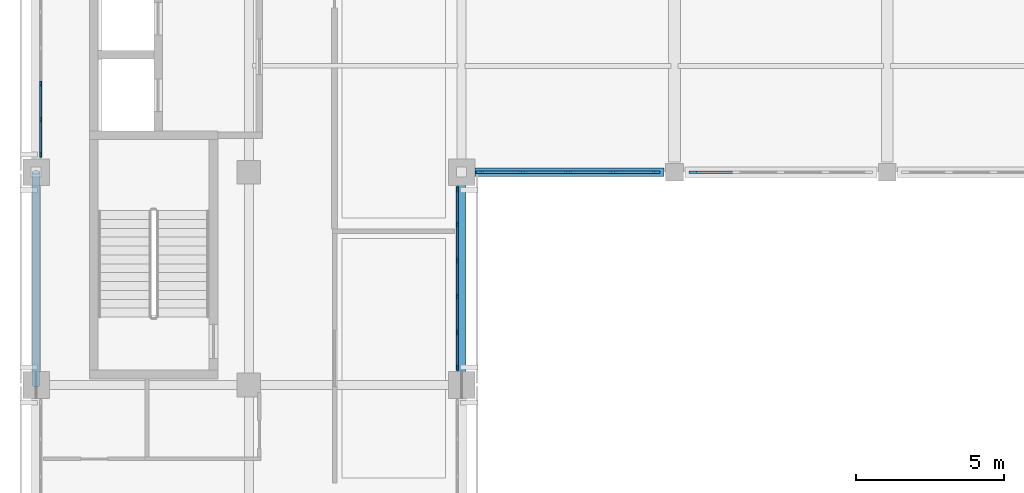
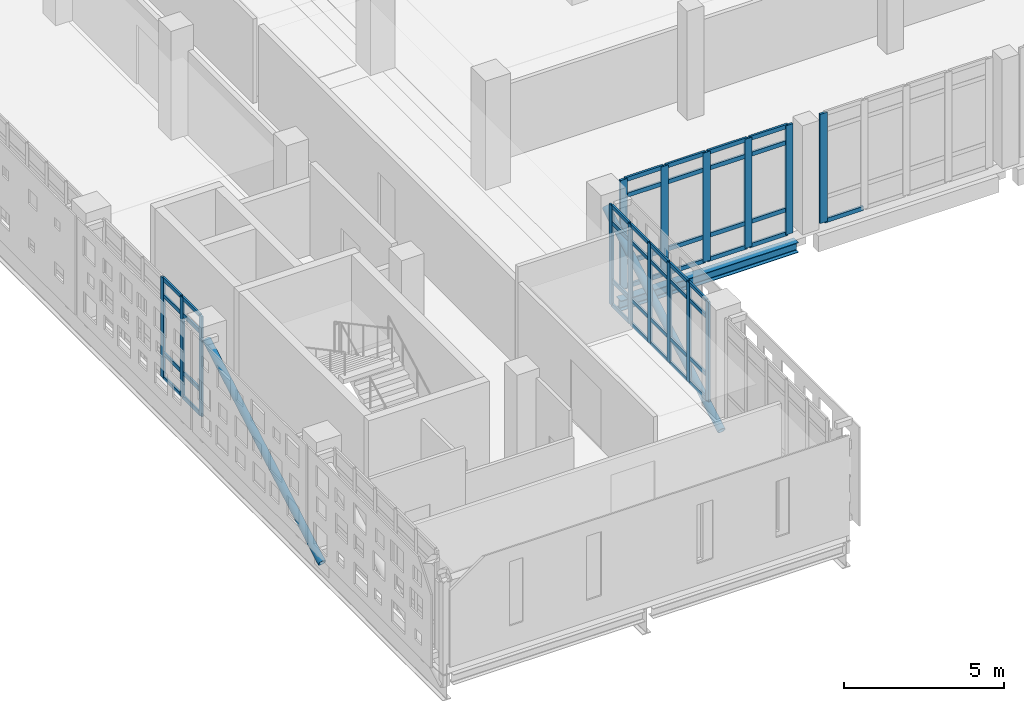
# One storey, part 8 of 62: 62 members, 1 beam, 4 elements without a shape of their own.
"""IFC4 building model written with IfcOpenShell, lengths in metres."""

from ifc_helpers import new_model, si_unit, direction, frame, origin, origin_2d, place, context, subcontext, project, spatial, rectangle, hollow_circle, i_section, extrude, material, layer, layer_set, material_profile, profile_set, type_object, element, aggregate, save


model = new_model("IFC4")

# Units and contexts
model_context = context("Model", 3, precision=1e-05, world=origin(), true_north=direction((0.0, 1.0)))
body_context = subcontext(model_context, "Body", "Model", "MODEL_VIEW")
ifc_project = project(units=[si_unit("LENGTHUNIT", "METRE"), si_unit("AREAUNIT", "SQUARE_METRE"), si_unit("VOLUMEUNIT", "CUBIC_METRE"), si_unit("PLANEANGLEUNIT", "RADIAN"), si_unit("MASSUNIT", "GRAM", prefix="KILO")], contexts=[model_context])

# Site, building, storey
site_placement = place(None, origin())
site = spatial("IfcSite", under=ifc_project, at=site_placement, CompositionType="ELEMENT")
building_placement = place(site_placement, origin())
building = spatial("IfcBuilding", under=site, at=building_placement, Name="Valkovuoma Quantum and Materials Research Institute", CompositionType="ELEMENT")
storey_placement = place(building_placement, frame((0.0, 0.0, 13.1201171875)))
storey = spatial("IfcBuildingStorey", under=building, at=storey_placement, Name="L03", CompositionType="ELEMENT", Elevation=13.1201171875)

# Beam
ifc_material_1 = material(Name="Steel S355J2", Category="steel")
ifc_material_profile_1 = material_profile(ifc_material_1, i_section(OverallWidth=0.300048828125, OverallDepth=0.389892578125, WebThickness=0.010986328125, FlangeThickness=0.01904296875, FilletRadius=0.027099609375, at=origin_2d()), Name="Steel S355J2")
ifc_profile_set_1 = profile_set([ifc_material_profile_1], Name="Steel S355J2")
beam_type = type_object("IfcBeamType", Name="Beam-B-HEA400", PredefinedType="SPANDREL", material=ifc_profile_set_1)
beam_placement = place(storey_placement, frame((14.85009765625, 36.0, -0.545166015625), z_axis=(1.0, 0.0, 0.0), x_axis=(0.0, 1.0, 0.0)))
element("IfcBeam", 1, at=beam_placement, inside=storey, type_object=beam_type, Name="L03 beam X-1426", PredefinedType="SPANDREL", context=body_context, shape_type="SweptSolid", body=[
    extrude(i_section(OverallWidth=0.300048828125, OverallDepth=0.389892578125, WebThickness=0.010986328125, FlangeThickness=0.01904296875, FilletRadius=0.027099609375, at=origin_2d()), origin(), (0.0, 0.0, 1.0), 6.39990234375),
])

# Curtain wall, members
ifc_material_2 = material(Name="Thermally broken aluminium and triple low-E glazing", Category="aluminium")
ifc_layer_1 = layer(ifc_material_2, 0.219970703125)
ifc_layer_set_1 = layer_set([ifc_layer_1], Name="Thermally broken aluminium and triple low-E glazing")
curtain_wall_type_1 = type_object("IfcCurtainWallType", Name="CW-CW-01", PredefinedType="NOTDEFINED", material=ifc_layer_set_1)
curtain_wall_1_placement = place(storey_placement, origin())
curtain_wall_1 = element("IfcCurtainWall", 2, at=curtain_wall_1_placement, inside=storey, type_object=curtain_wall_type_1, Name="L03 curtain wall 030", PredefinedType="NOTDEFINED")
ifc_material_3 = material(Name="Anodised aluminium 6060-T66", Category="aluminium")
ifc_material_profile_2 = material_profile(ifc_material_3, rectangle(XDim=0.06494140625, YDim=0.179931640625, at=origin_2d()), Name="Anodised aluminium 6060-T66")
ifc_profile_set_2 = profile_set([ifc_material_profile_2], Name="Anodised aluminium 6060-T66")
member_type_1 = type_object("IfcMemberType", Name="CWMull-CWM-01", PredefinedType="MULLION", material=ifc_profile_set_2)
member_1_placement = place(storey_placement, frame((14.25, 29.3896484375, 0.0), z_axis=(0.0, 0.0, 1.0), x_axis=(-1.0, 0.0, 0.0)))
member_1 = element("IfcMember", 3, at=member_1_placement, type_object=member_type_1, Name="CW-01 mullion 1", PredefinedType="MULLION", context=body_context, shape_type="SweptSolid", body=[
    extrude(rectangle(XDim=0.06494140625, YDim=0.179931640625, at=origin_2d()), origin(), (0.0, 0.0, 1.0), 3.809814453125),
])
member_2_placement = place(storey_placement, frame((14.25, 30.57421875, 0.0), z_axis=(0.0, 0.0, 1.0), x_axis=(-1.0, 0.0, 0.0)))
member_2 = element("IfcMember", 4, at=member_2_placement, type_object=member_type_1, Name="CW-01 mullion 2", PredefinedType="MULLION", context=body_context, shape_type="SweptSolid", body=[
    extrude(rectangle(XDim=0.06494140625, YDim=0.179931640625, at=origin_2d()), origin(), (0.0, 0.0, 1.0), 3.809814453125),
])
member_3_placement = place(storey_placement, frame((14.25, 31.79150390625, 0.0), z_axis=(0.0, 0.0, 1.0), x_axis=(-1.0, 0.0, 0.0)))
member_3 = element("IfcMember", 5, at=member_3_placement, type_object=member_type_1, Name="CW-01 mullion 3", PredefinedType="MULLION", context=body_context, shape_type="SweptSolid", body=[
    extrude(rectangle(XDim=0.06494140625, YDim=0.179931640625, at=origin_2d()), origin(), (0.0, 0.0, 1.0), 3.809814453125),
])
member_4_placement = place(storey_placement, frame((14.25, 33.008544921875, 0.0), z_axis=(0.0, 0.0, 1.0), x_axis=(-1.0, 0.0, 0.0)))
member_4 = element("IfcMember", 6, at=member_4_placement, type_object=member_type_1, Name="CW-01 mullion 4", PredefinedType="MULLION", context=body_context, shape_type="SweptSolid", body=[
    extrude(rectangle(XDim=0.06494140625, YDim=0.179931640625, at=origin_2d()), origin(), (0.0, 0.0, 1.0), 3.809814453125),
])
member_5_placement = place(storey_placement, frame((14.25, 34.225830078125, 0.0), z_axis=(0.0, 0.0, 1.0), x_axis=(-1.0, 0.0, 0.0)))
member_5 = element("IfcMember", 7, at=member_5_placement, type_object=member_type_1, Name="CW-01 mullion 5", PredefinedType="MULLION", context=body_context, shape_type="SweptSolid", body=[
    extrude(rectangle(XDim=0.06494140625, YDim=0.179931640625, at=origin_2d()), origin(), (0.0, 0.0, 1.0), 3.809814453125),
])
member_6_placement = place(storey_placement, frame((14.25, 35.410400390625, 0.0), z_axis=(0.0, 0.0, 1.0), x_axis=(-1.0, 0.0, 0.0)))
member_6 = element("IfcMember", 8, at=member_6_placement, type_object=member_type_1, Name="CW-01 mullion 6", PredefinedType="MULLION", context=body_context, shape_type="SweptSolid", body=[
    extrude(rectangle(XDim=0.06494140625, YDim=0.179931640625, at=origin_2d()), origin(), (0.0, 0.0, 1.0), 3.809814453125),
])

curtain_wall_2_placement = place(storey_placement, origin())
curtain_wall_2 = element("IfcCurtainWall", 9, at=curtain_wall_2_placement, inside=storey, type_object=curtain_wall_type_1, Name="L03 curtain wall 031", PredefinedType="NOTDEFINED")
member_7_placement = place(storey_placement, frame((0.14990234375, 36.589599609375, 0.0), z_axis=(0.0, 0.0, 1.0), x_axis=(-1.0, 0.0, 0.0)))
member_7 = element("IfcMember", 10, at=member_7_placement, type_object=member_type_1, Name="CW-01 mullion 1", PredefinedType="MULLION", context=body_context, shape_type="SweptSolid", body=[
    extrude(rectangle(XDim=0.06494140625, YDim=0.179931640625, at=origin_2d()), origin(), (0.0, 0.0, 1.0), 3.809814453125),
])
member_8_placement = place(storey_placement, frame((0.14990234375, 37.774169921875, 0.0), z_axis=(0.0, 0.0, 1.0), x_axis=(-1.0, 0.0, 0.0)))
member_8 = element("IfcMember", 11, at=member_8_placement, type_object=member_type_1, Name="CW-01 mullion 2", PredefinedType="MULLION", context=body_context, shape_type="SweptSolid", body=[
    extrude(rectangle(XDim=0.06494140625, YDim=0.179931640625, at=origin_2d()), origin(), (0.0, 0.0, 1.0), 3.809814453125),
])
member_9_placement = place(storey_placement, frame((0.14990234375, 38.991455078125, 0.0), z_axis=(0.0, 0.0, 1.0), x_axis=(-1.0, 0.0, 0.0)))
member_9 = element("IfcMember", 12, at=member_9_placement, type_object=member_type_1, Name="CW-01 mullion 3", PredefinedType="MULLION", context=body_context, shape_type="SweptSolid", body=[
    extrude(rectangle(XDim=0.06494140625, YDim=0.179931640625, at=origin_2d()), origin(), (0.0, 0.0, 1.0), 3.809814453125),
])

ifc_material_4 = material(Name="Thermally broken aluminium and triple low-E glazing", Category="aluminium")
ifc_layer_2 = layer(ifc_material_4, 0.219970703125)
ifc_layer_set_2 = layer_set([ifc_layer_2], Name="Thermally broken aluminium and triple low-E glazing")
curtain_wall_type_2 = type_object("IfcCurtainWallType", Name="CW-CW-02", PredefinedType="NOTDEFINED", material=ifc_layer_set_2)
curtain_wall_3_placement = place(storey_placement, origin())
curtain_wall_3 = element("IfcCurtainWall", 13, at=curtain_wall_3_placement, inside=storey, type_object=curtain_wall_type_2, Name="L03 curtain wall 199", PredefinedType="NOTDEFINED")
ifc_material_5 = material(Name="Anodised aluminium 6060-T66", Category="aluminium")
ifc_material_profile_3 = material_profile(ifc_material_5, rectangle(XDim=0.080078125, YDim=0.260009765625, at=origin_2d()), Name="Anodised aluminium 6060-T66")
ifc_profile_set_3 = profile_set([ifc_material_profile_3], Name="Anodised aluminium 6060-T66")
member_type_2 = type_object("IfcMemberType", Name="CWMull-CWM-03", PredefinedType="MULLION", material=ifc_profile_set_3)
member_10_placement = place(storey_placement, frame((15.02001953125, 36.0, 0.0), z_axis=(0.0, 0.0, 1.0), x_axis=(0.0, 1.0, 0.0)))
member_10 = element("IfcMember", 14, at=member_10_placement, type_object=member_type_2, Name="CW-02 mullion 1", PredefinedType="MULLION", context=body_context, shape_type="SweptSolid", body=[
    extrude(rectangle(XDim=0.080078125, YDim=0.260009765625, at=origin_2d()), origin(), (0.0, 0.0, 1.0), 4.159912109375),
])
member_11_placement = place(storey_placement, frame((16.489990234375, 36.0, 0.0), z_axis=(0.0, 0.0, 1.0), x_axis=(0.0, 1.0, 0.0)))
member_11 = element("IfcMember", 15, at=member_11_placement, type_object=member_type_2, Name="CW-02 mullion 2", PredefinedType="MULLION", context=body_context, shape_type="SweptSolid", body=[
    extrude(rectangle(XDim=0.080078125, YDim=0.260009765625, at=origin_2d()), origin(), (0.0, 0.0, 1.0), 4.159912109375),
])
member_12_placement = place(storey_placement, frame((18.0, 36.0, 0.0), z_axis=(0.0, 0.0, 1.0), x_axis=(0.0, 1.0, 0.0)))
member_12 = element("IfcMember", 16, at=member_12_placement, type_object=member_type_2, Name="CW-02 mullion 3", PredefinedType="MULLION", context=body_context, shape_type="SweptSolid", body=[
    extrude(rectangle(XDim=0.080078125, YDim=0.260009765625, at=origin_2d()), origin(), (0.0, 0.0, 1.0), 4.159912109375),
])
member_13_placement = place(storey_placement, frame((19.510009765625, 36.0, 0.0), z_axis=(0.0, 0.0, 1.0), x_axis=(0.0, 1.0, 0.0)))
member_13 = element("IfcMember", 17, at=member_13_placement, type_object=member_type_2, Name="CW-02 mullion 4", PredefinedType="MULLION", context=body_context, shape_type="SweptSolid", body=[
    extrude(rectangle(XDim=0.080078125, YDim=0.260009765625, at=origin_2d()), origin(), (0.0, 0.0, 1.0), 4.159912109375),
])
member_14_placement = place(storey_placement, frame((20.97998046875, 36.0, 0.0), z_axis=(0.0, 0.0, 1.0), x_axis=(0.0, 1.0, 0.0)))
member_14 = element("IfcMember", 18, at=member_14_placement, type_object=member_type_2, Name="CW-02 mullion 5", PredefinedType="MULLION", context=body_context, shape_type="SweptSolid", body=[
    extrude(rectangle(XDim=0.080078125, YDim=0.260009765625, at=origin_2d()), origin(), (0.0, 0.0, 1.0), 4.159912109375),
])

# Curtain wall, member
curtain_wall_4_placement = place(storey_placement, origin())
curtain_wall_4 = element("IfcCurtainWall", 19, at=curtain_wall_4_placement, inside=storey, type_object=curtain_wall_type_2, Name="L03 curtain wall 200", PredefinedType="NOTDEFINED")
member_15_placement = place(storey_placement, frame((22.219970703125, 36.0, 0.0), z_axis=(0.0, 0.0, 1.0), x_axis=(0.0, 1.0, 0.0)))
member_15 = element("IfcMember", 20, at=member_15_placement, type_object=member_type_2, Name="CW-02 mullion 1", PredefinedType="MULLION", context=body_context, shape_type="SweptSolid", body=[
    extrude(rectangle(XDim=0.080078125, YDim=0.260009765625, at=origin_2d()), origin(), (0.0, 0.0, 1.0), 4.159912109375),
])

# Member
ifc_material_6 = material(Name="Anodised aluminium 6060-T66", Category="aluminium")
ifc_material_profile_4 = material_profile(ifc_material_6, rectangle(XDim=0.06494140625, YDim=0.139892578125, at=origin_2d()), Name="Anodised aluminium 6060-T66")
ifc_profile_set_4 = profile_set([ifc_material_profile_4], Name="Anodised aluminium 6060-T66")
member_type_3 = type_object("IfcMemberType", Name="CWTran-CWT-01", PredefinedType="USERDEFINED", material=ifc_profile_set_4)
member_16_placement = place(storey_placement, frame((14.25, 29.422119140625, 0.032470703125), z_axis=(0.0, 1.0, 0.0), x_axis=(-1.0, 0.0, 0.0)))
member_16 = element("IfcMember", 21, at=member_16_placement, type_object=member_type_3, Name="CW-01 transom 1.1", ObjectType="TRANSOM", PredefinedType="USERDEFINED", context=body_context, shape_type="SweptSolid", body=[
    extrude(rectangle(XDim=0.06494140625, YDim=0.139892578125, at=origin_2d()), origin(), (0.0, 0.0, 1.0), 1.11962890625),
])

member_17_placement = place(storey_placement, frame((14.25, 29.422119140625, 0.949951171875), z_axis=(0.0, 1.0, 0.0), x_axis=(-1.0, 0.0, 0.0)))
member_17 = element("IfcMember", 22, at=member_17_placement, type_object=member_type_3, Name="CW-01 transom 1.2", ObjectType="TRANSOM", PredefinedType="USERDEFINED", context=body_context, shape_type="SweptSolid", body=[
    extrude(rectangle(XDim=0.06494140625, YDim=0.139892578125, at=origin_2d()), origin(), (0.0, 0.0, 1.0), 1.11962890625),
])

member_18_placement = place(storey_placement, frame((14.25, 29.422119140625, 3.159912109375), z_axis=(0.0, 1.0, 0.0), x_axis=(-1.0, 0.0, 0.0)))
member_18 = element("IfcMember", 23, at=member_18_placement, type_object=member_type_3, Name="CW-01 transom 1.3", ObjectType="TRANSOM", PredefinedType="USERDEFINED", context=body_context, shape_type="SweptSolid", body=[
    extrude(rectangle(XDim=0.06494140625, YDim=0.139892578125, at=origin_2d()), origin(), (0.0, 0.0, 1.0), 1.11962890625),
])

member_19_placement = place(storey_placement, frame((14.25, 29.422119140625, 3.77734375), z_axis=(0.0, 1.0, 0.0), x_axis=(-1.0, 0.0, 0.0)))
member_19 = element("IfcMember", 24, at=member_19_placement, type_object=member_type_3, Name="CW-01 transom 1.4", ObjectType="TRANSOM", PredefinedType="USERDEFINED", context=body_context, shape_type="SweptSolid", body=[
    extrude(rectangle(XDim=0.06494140625, YDim=0.139892578125, at=origin_2d()), origin(), (0.0, 0.0, 1.0), 1.11962890625),
])

member_20_placement = place(storey_placement, frame((14.25, 30.606689453125, 0.032470703125), z_axis=(0.0, 1.0, 0.0), x_axis=(-1.0, 0.0, 0.0)))
member_20 = element("IfcMember", 25, at=member_20_placement, type_object=member_type_3, Name="CW-01 transom 2.1", ObjectType="TRANSOM", PredefinedType="USERDEFINED", context=body_context, shape_type="SweptSolid", body=[
    extrude(rectangle(XDim=0.06494140625, YDim=0.139892578125, at=origin_2d()), origin(), (0.0, 0.0, 1.0), 1.15234375),
])

member_21_placement = place(storey_placement, frame((14.25, 30.606689453125, 0.949951171875), z_axis=(0.0, 1.0, 0.0), x_axis=(-1.0, 0.0, 0.0)))
member_21 = element("IfcMember", 26, at=member_21_placement, type_object=member_type_3, Name="CW-01 transom 2.2", ObjectType="TRANSOM", PredefinedType="USERDEFINED", context=body_context, shape_type="SweptSolid", body=[
    extrude(rectangle(XDim=0.06494140625, YDim=0.139892578125, at=origin_2d()), origin(), (0.0, 0.0, 1.0), 1.15234375),
])

member_22_placement = place(storey_placement, frame((14.25, 30.606689453125, 3.159912109375), z_axis=(0.0, 1.0, 0.0), x_axis=(-1.0, 0.0, 0.0)))
member_22 = element("IfcMember", 27, at=member_22_placement, type_object=member_type_3, Name="CW-01 transom 2.3", ObjectType="TRANSOM", PredefinedType="USERDEFINED", context=body_context, shape_type="SweptSolid", body=[
    extrude(rectangle(XDim=0.06494140625, YDim=0.139892578125, at=origin_2d()), origin(), (0.0, 0.0, 1.0), 1.15234375),
])

member_23_placement = place(storey_placement, frame((14.25, 30.606689453125, 3.77734375), z_axis=(0.0, 1.0, 0.0), x_axis=(-1.0, 0.0, 0.0)))
member_23 = element("IfcMember", 28, at=member_23_placement, type_object=member_type_3, Name="CW-01 transom 2.4", ObjectType="TRANSOM", PredefinedType="USERDEFINED", context=body_context, shape_type="SweptSolid", body=[
    extrude(rectangle(XDim=0.06494140625, YDim=0.139892578125, at=origin_2d()), origin(), (0.0, 0.0, 1.0), 1.15234375),
])

member_24_placement = place(storey_placement, frame((14.25, 31.823974609375, 0.032470703125), z_axis=(0.0, 1.0, 0.0), x_axis=(-1.0, 0.0, 0.0)))
member_24 = element("IfcMember", 29, at=member_24_placement, type_object=member_type_3, Name="CW-01 transom 3.1", ObjectType="TRANSOM", PredefinedType="USERDEFINED", context=body_context, shape_type="SweptSolid", body=[
    extrude(rectangle(XDim=0.06494140625, YDim=0.139892578125, at=origin_2d()), origin(), (0.0, 0.0, 1.0), 1.152099609375),
])

member_25_placement = place(storey_placement, frame((14.25, 31.823974609375, 0.949951171875), z_axis=(0.0, 1.0, 0.0), x_axis=(-1.0, 0.0, 0.0)))
member_25 = element("IfcMember", 30, at=member_25_placement, type_object=member_type_3, Name="CW-01 transom 3.2", ObjectType="TRANSOM", PredefinedType="USERDEFINED", context=body_context, shape_type="SweptSolid", body=[
    extrude(rectangle(XDim=0.06494140625, YDim=0.139892578125, at=origin_2d()), origin(), (0.0, 0.0, 1.0), 1.152099609375),
])

member_26_placement = place(storey_placement, frame((14.25, 31.823974609375, 3.159912109375), z_axis=(0.0, 1.0, 0.0), x_axis=(-1.0, 0.0, 0.0)))
member_26 = element("IfcMember", 31, at=member_26_placement, type_object=member_type_3, Name="CW-01 transom 3.3", ObjectType="TRANSOM", PredefinedType="USERDEFINED", context=body_context, shape_type="SweptSolid", body=[
    extrude(rectangle(XDim=0.06494140625, YDim=0.139892578125, at=origin_2d()), origin(), (0.0, 0.0, 1.0), 1.152099609375),
])

member_27_placement = place(storey_placement, frame((14.25, 31.823974609375, 3.77734375), z_axis=(0.0, 1.0, 0.0), x_axis=(-1.0, 0.0, 0.0)))
member_27 = element("IfcMember", 32, at=member_27_placement, type_object=member_type_3, Name="CW-01 transom 3.4", ObjectType="TRANSOM", PredefinedType="USERDEFINED", context=body_context, shape_type="SweptSolid", body=[
    extrude(rectangle(XDim=0.06494140625, YDim=0.139892578125, at=origin_2d()), origin(), (0.0, 0.0, 1.0), 1.152099609375),
])

member_28_placement = place(storey_placement, frame((14.25, 33.041015625, 0.032470703125), z_axis=(0.0, 1.0, 0.0), x_axis=(-1.0, 0.0, 0.0)))
member_28 = element("IfcMember", 33, at=member_28_placement, type_object=member_type_3, Name="CW-01 transom 4.1", ObjectType="TRANSOM", PredefinedType="USERDEFINED", context=body_context, shape_type="SweptSolid", body=[
    extrude(rectangle(XDim=0.06494140625, YDim=0.139892578125, at=origin_2d()), origin(), (0.0, 0.0, 1.0), 1.15234375),
])

member_29_placement = place(storey_placement, frame((14.25, 33.041015625, 0.949951171875), z_axis=(0.0, 1.0, 0.0), x_axis=(-1.0, 0.0, 0.0)))
member_29 = element("IfcMember", 34, at=member_29_placement, type_object=member_type_3, Name="CW-01 transom 4.2", ObjectType="TRANSOM", PredefinedType="USERDEFINED", context=body_context, shape_type="SweptSolid", body=[
    extrude(rectangle(XDim=0.06494140625, YDim=0.139892578125, at=origin_2d()), origin(), (0.0, 0.0, 1.0), 1.15234375),
])

member_30_placement = place(storey_placement, frame((14.25, 33.041015625, 3.159912109375), z_axis=(0.0, 1.0, 0.0), x_axis=(-1.0, 0.0, 0.0)))
member_30 = element("IfcMember", 35, at=member_30_placement, type_object=member_type_3, Name="CW-01 transom 4.3", ObjectType="TRANSOM", PredefinedType="USERDEFINED", context=body_context, shape_type="SweptSolid", body=[
    extrude(rectangle(XDim=0.06494140625, YDim=0.139892578125, at=origin_2d()), origin(), (0.0, 0.0, 1.0), 1.15234375),
])

member_31_placement = place(storey_placement, frame((14.25, 33.041015625, 3.77734375), z_axis=(0.0, 1.0, 0.0), x_axis=(-1.0, 0.0, 0.0)))
member_31 = element("IfcMember", 36, at=member_31_placement, type_object=member_type_3, Name="CW-01 transom 4.4", ObjectType="TRANSOM", PredefinedType="USERDEFINED", context=body_context, shape_type="SweptSolid", body=[
    extrude(rectangle(XDim=0.06494140625, YDim=0.139892578125, at=origin_2d()), origin(), (0.0, 0.0, 1.0), 1.15234375),
])

member_32_placement = place(storey_placement, frame((14.25, 34.25830078125, 0.032470703125), z_axis=(0.0, 1.0, 0.0), x_axis=(-1.0, 0.0, 0.0)))
member_32 = element("IfcMember", 37, at=member_32_placement, type_object=member_type_3, Name="CW-01 transom 5.1", ObjectType="TRANSOM", PredefinedType="USERDEFINED", context=body_context, shape_type="SweptSolid", body=[
    extrude(rectangle(XDim=0.06494140625, YDim=0.139892578125, at=origin_2d()), origin(), (0.0, 0.0, 1.0), 1.11962890625),
])

member_33_placement = place(storey_placement, frame((14.25, 34.25830078125, 0.949951171875), z_axis=(0.0, 1.0, 0.0), x_axis=(-1.0, 0.0, 0.0)))
member_33 = element("IfcMember", 38, at=member_33_placement, type_object=member_type_3, Name="CW-01 transom 5.2", ObjectType="TRANSOM", PredefinedType="USERDEFINED", context=body_context, shape_type="SweptSolid", body=[
    extrude(rectangle(XDim=0.06494140625, YDim=0.139892578125, at=origin_2d()), origin(), (0.0, 0.0, 1.0), 1.11962890625),
])

member_34_placement = place(storey_placement, frame((14.25, 34.25830078125, 3.159912109375), z_axis=(0.0, 1.0, 0.0), x_axis=(-1.0, 0.0, 0.0)))
member_34 = element("IfcMember", 39, at=member_34_placement, type_object=member_type_3, Name="CW-01 transom 5.3", ObjectType="TRANSOM", PredefinedType="USERDEFINED", context=body_context, shape_type="SweptSolid", body=[
    extrude(rectangle(XDim=0.06494140625, YDim=0.139892578125, at=origin_2d()), origin(), (0.0, 0.0, 1.0), 1.11962890625),
])

member_35_placement = place(storey_placement, frame((14.25, 34.25830078125, 3.77734375), z_axis=(0.0, 1.0, 0.0), x_axis=(-1.0, 0.0, 0.0)))
member_35 = element("IfcMember", 40, at=member_35_placement, type_object=member_type_3, Name="CW-01 transom 5.4", ObjectType="TRANSOM", PredefinedType="USERDEFINED", context=body_context, shape_type="SweptSolid", body=[
    extrude(rectangle(XDim=0.06494140625, YDim=0.139892578125, at=origin_2d()), origin(), (0.0, 0.0, 1.0), 1.11962890625),
])

aggregate(curtain_wall_1, [member_1, member_2, member_3, member_4, member_5, member_6, member_16, member_17, member_18, member_19, member_20, member_21, member_22, member_23, member_24, member_25, member_26, member_27, member_28, member_29, member_30, member_31, member_32, member_33, member_34, member_35])

member_36_placement = place(storey_placement, frame((0.14990234375, 36.6220703125, 0.032470703125), z_axis=(0.0, 1.0, 0.0), x_axis=(-1.0, 0.0, 0.0)))
member_36 = element("IfcMember", 41, at=member_36_placement, type_object=member_type_3, Name="CW-01 transom 1.1", ObjectType="TRANSOM", PredefinedType="USERDEFINED", context=body_context, shape_type="SweptSolid", body=[
    extrude(rectangle(XDim=0.06494140625, YDim=0.139892578125, at=origin_2d()), origin(), (0.0, 0.0, 1.0), 1.11962890625),
])

member_37_placement = place(storey_placement, frame((0.14990234375, 36.6220703125, 0.949951171875), z_axis=(0.0, 1.0, 0.0), x_axis=(-1.0, 0.0, 0.0)))
member_37 = element("IfcMember", 42, at=member_37_placement, type_object=member_type_3, Name="CW-01 transom 1.2", ObjectType="TRANSOM", PredefinedType="USERDEFINED", context=body_context, shape_type="SweptSolid", body=[
    extrude(rectangle(XDim=0.06494140625, YDim=0.139892578125, at=origin_2d()), origin(), (0.0, 0.0, 1.0), 1.11962890625),
])

member_38_placement = place(storey_placement, frame((0.14990234375, 36.6220703125, 3.159912109375), z_axis=(0.0, 1.0, 0.0), x_axis=(-1.0, 0.0, 0.0)))
member_38 = element("IfcMember", 43, at=member_38_placement, type_object=member_type_3, Name="CW-01 transom 1.3", ObjectType="TRANSOM", PredefinedType="USERDEFINED", context=body_context, shape_type="SweptSolid", body=[
    extrude(rectangle(XDim=0.06494140625, YDim=0.139892578125, at=origin_2d()), origin(), (0.0, 0.0, 1.0), 1.11962890625),
])

member_39_placement = place(storey_placement, frame((0.14990234375, 36.6220703125, 3.77734375), z_axis=(0.0, 1.0, 0.0), x_axis=(-1.0, 0.0, 0.0)))
member_39 = element("IfcMember", 44, at=member_39_placement, type_object=member_type_3, Name="CW-01 transom 1.4", ObjectType="TRANSOM", PredefinedType="USERDEFINED", context=body_context, shape_type="SweptSolid", body=[
    extrude(rectangle(XDim=0.06494140625, YDim=0.139892578125, at=origin_2d()), origin(), (0.0, 0.0, 1.0), 1.11962890625),
])

member_40_placement = place(storey_placement, frame((0.14990234375, 37.806640625, 0.032470703125), z_axis=(0.0, 1.0, 0.0), x_axis=(-1.0, 0.0, 0.0)))
member_40 = element("IfcMember", 45, at=member_40_placement, type_object=member_type_3, Name="CW-01 transom 2.1", ObjectType="TRANSOM", PredefinedType="USERDEFINED", context=body_context, shape_type="SweptSolid", body=[
    extrude(rectangle(XDim=0.06494140625, YDim=0.139892578125, at=origin_2d()), origin(), (0.0, 0.0, 1.0), 1.15234375),
])

member_41_placement = place(storey_placement, frame((0.14990234375, 37.806640625, 0.949951171875), z_axis=(0.0, 1.0, 0.0), x_axis=(-1.0, 0.0, 0.0)))
member_41 = element("IfcMember", 46, at=member_41_placement, type_object=member_type_3, Name="CW-01 transom 2.2", ObjectType="TRANSOM", PredefinedType="USERDEFINED", context=body_context, shape_type="SweptSolid", body=[
    extrude(rectangle(XDim=0.06494140625, YDim=0.139892578125, at=origin_2d()), origin(), (0.0, 0.0, 1.0), 1.15234375),
])

member_42_placement = place(storey_placement, frame((0.14990234375, 37.806640625, 3.159912109375), z_axis=(0.0, 1.0, 0.0), x_axis=(-1.0, 0.0, 0.0)))
member_42 = element("IfcMember", 47, at=member_42_placement, type_object=member_type_3, Name="CW-01 transom 2.3", ObjectType="TRANSOM", PredefinedType="USERDEFINED", context=body_context, shape_type="SweptSolid", body=[
    extrude(rectangle(XDim=0.06494140625, YDim=0.139892578125, at=origin_2d()), origin(), (0.0, 0.0, 1.0), 1.15234375),
])

member_43_placement = place(storey_placement, frame((0.14990234375, 37.806640625, 3.77734375), z_axis=(0.0, 1.0, 0.0), x_axis=(-1.0, 0.0, 0.0)))
member_43 = element("IfcMember", 48, at=member_43_placement, type_object=member_type_3, Name="CW-01 transom 2.4", ObjectType="TRANSOM", PredefinedType="USERDEFINED", context=body_context, shape_type="SweptSolid", body=[
    extrude(rectangle(XDim=0.06494140625, YDim=0.139892578125, at=origin_2d()), origin(), (0.0, 0.0, 1.0), 1.15234375),
])

aggregate(curtain_wall_2, [member_7, member_8, member_9, member_36, member_37, member_38, member_39, member_40, member_41, member_42, member_43])

ifc_material_7 = material(Name="Anodised aluminium 6060-T66", Category="aluminium")
ifc_material_profile_5 = material_profile(ifc_material_7, rectangle(XDim=0.074951171875, YDim=0.159912109375, at=origin_2d()), Name="Anodised aluminium 6060-T66")
ifc_profile_set_5 = profile_set([ifc_material_profile_5], Name="Anodised aluminium 6060-T66")
member_type_4 = type_object("IfcMemberType", Name="CWTran-CWT-02", PredefinedType="USERDEFINED", material=ifc_profile_set_5)
member_44_placement = place(storey_placement, frame((15.06005859375, 36.0, 0.037353515625), z_axis=(1.0, 0.0, 0.0), x_axis=(0.0, 1.0, 0.0)))
member_44 = element("IfcMember", 49, at=member_44_placement, type_object=member_type_4, Name="CW-02 transom 1.1", ObjectType="TRANSOM", PredefinedType="USERDEFINED", context=body_context, shape_type="SweptSolid", body=[
    extrude(rectangle(XDim=0.074951171875, YDim=0.159912109375, at=origin_2d()), origin(), (0.0, 0.0, 1.0), 1.389892578125),
])

member_45_placement = place(storey_placement, frame((15.06005859375, 36.0, 0.949951171875), z_axis=(1.0, 0.0, 0.0), x_axis=(0.0, 1.0, 0.0)))
member_45 = element("IfcMember", 50, at=member_45_placement, type_object=member_type_4, Name="CW-02 transom 1.2", ObjectType="TRANSOM", PredefinedType="USERDEFINED", context=body_context, shape_type="SweptSolid", body=[
    extrude(rectangle(XDim=0.074951171875, YDim=0.159912109375, at=origin_2d()), origin(), (0.0, 0.0, 1.0), 1.389892578125),
])

member_46_placement = place(storey_placement, frame((15.06005859375, 36.0, 3.509765625), z_axis=(1.0, 0.0, 0.0), x_axis=(0.0, 1.0, 0.0)))
member_46 = element("IfcMember", 51, at=member_46_placement, type_object=member_type_4, Name="CW-02 transom 1.3", ObjectType="TRANSOM", PredefinedType="USERDEFINED", context=body_context, shape_type="SweptSolid", body=[
    extrude(rectangle(XDim=0.074951171875, YDim=0.159912109375, at=origin_2d()), origin(), (0.0, 0.0, 1.0), 1.389892578125),
])

member_47_placement = place(storey_placement, frame((15.06005859375, 36.0, 4.122314453125), z_axis=(1.0, 0.0, 0.0), x_axis=(0.0, 1.0, 0.0)))
member_47 = element("IfcMember", 52, at=member_47_placement, type_object=member_type_4, Name="CW-02 transom 1.4", ObjectType="TRANSOM", PredefinedType="USERDEFINED", context=body_context, shape_type="SweptSolid", body=[
    extrude(rectangle(XDim=0.074951171875, YDim=0.159912109375, at=origin_2d()), origin(), (0.0, 0.0, 1.0), 1.389892578125),
])

member_48_placement = place(storey_placement, frame((16.530029296875, 36.0, 0.037353515625), z_axis=(1.0, 0.0, 0.0), x_axis=(0.0, 1.0, 0.0)))
member_48 = element("IfcMember", 53, at=member_48_placement, type_object=member_type_4, Name="CW-02 transom 2.1", ObjectType="TRANSOM", PredefinedType="USERDEFINED", context=body_context, shape_type="SweptSolid", body=[
    extrude(rectangle(XDim=0.074951171875, YDim=0.159912109375, at=origin_2d()), origin(), (0.0, 0.0, 1.0), 1.429931640625),
])

member_49_placement = place(storey_placement, frame((16.530029296875, 36.0, 0.949951171875), z_axis=(1.0, 0.0, 0.0), x_axis=(0.0, 1.0, 0.0)))
member_49 = element("IfcMember", 54, at=member_49_placement, type_object=member_type_4, Name="CW-02 transom 2.2", ObjectType="TRANSOM", PredefinedType="USERDEFINED", context=body_context, shape_type="SweptSolid", body=[
    extrude(rectangle(XDim=0.074951171875, YDim=0.159912109375, at=origin_2d()), origin(), (0.0, 0.0, 1.0), 1.429931640625),
])

member_50_placement = place(storey_placement, frame((16.530029296875, 36.0, 3.509765625), z_axis=(1.0, 0.0, 0.0), x_axis=(0.0, 1.0, 0.0)))
member_50 = element("IfcMember", 55, at=member_50_placement, type_object=member_type_4, Name="CW-02 transom 2.3", ObjectType="TRANSOM", PredefinedType="USERDEFINED", context=body_context, shape_type="SweptSolid", body=[
    extrude(rectangle(XDim=0.074951171875, YDim=0.159912109375, at=origin_2d()), origin(), (0.0, 0.0, 1.0), 1.429931640625),
])

member_51_placement = place(storey_placement, frame((16.530029296875, 36.0, 4.122314453125), z_axis=(1.0, 0.0, 0.0), x_axis=(0.0, 1.0, 0.0)))
member_51 = element("IfcMember", 56, at=member_51_placement, type_object=member_type_4, Name="CW-02 transom 2.4", ObjectType="TRANSOM", PredefinedType="USERDEFINED", context=body_context, shape_type="SweptSolid", body=[
    extrude(rectangle(XDim=0.074951171875, YDim=0.159912109375, at=origin_2d()), origin(), (0.0, 0.0, 1.0), 1.429931640625),
])

member_52_placement = place(storey_placement, frame((18.0400390625, 36.0, 0.037353515625), z_axis=(1.0, 0.0, 0.0), x_axis=(0.0, 1.0, 0.0)))
member_52 = element("IfcMember", 57, at=member_52_placement, type_object=member_type_4, Name="CW-02 transom 3.1", ObjectType="TRANSOM", PredefinedType="USERDEFINED", context=body_context, shape_type="SweptSolid", body=[
    extrude(rectangle(XDim=0.074951171875, YDim=0.159912109375, at=origin_2d()), origin(), (0.0, 0.0, 1.0), 1.429931640625),
])

member_53_placement = place(storey_placement, frame((18.0400390625, 36.0, 0.949951171875), z_axis=(1.0, 0.0, 0.0), x_axis=(0.0, 1.0, 0.0)))
member_53 = element("IfcMember", 58, at=member_53_placement, type_object=member_type_4, Name="CW-02 transom 3.2", ObjectType="TRANSOM", PredefinedType="USERDEFINED", context=body_context, shape_type="SweptSolid", body=[
    extrude(rectangle(XDim=0.074951171875, YDim=0.159912109375, at=origin_2d()), origin(), (0.0, 0.0, 1.0), 1.429931640625),
])

member_54_placement = place(storey_placement, frame((18.0400390625, 36.0, 3.509765625), z_axis=(1.0, 0.0, 0.0), x_axis=(0.0, 1.0, 0.0)))
member_54 = element("IfcMember", 59, at=member_54_placement, type_object=member_type_4, Name="CW-02 transom 3.3", ObjectType="TRANSOM", PredefinedType="USERDEFINED", context=body_context, shape_type="SweptSolid", body=[
    extrude(rectangle(XDim=0.074951171875, YDim=0.159912109375, at=origin_2d()), origin(), (0.0, 0.0, 1.0), 1.429931640625),
])

member_55_placement = place(storey_placement, frame((18.0400390625, 36.0, 4.122314453125), z_axis=(1.0, 0.0, 0.0), x_axis=(0.0, 1.0, 0.0)))
member_55 = element("IfcMember", 60, at=member_55_placement, type_object=member_type_4, Name="CW-02 transom 3.4", ObjectType="TRANSOM", PredefinedType="USERDEFINED", context=body_context, shape_type="SweptSolid", body=[
    extrude(rectangle(XDim=0.074951171875, YDim=0.159912109375, at=origin_2d()), origin(), (0.0, 0.0, 1.0), 1.429931640625),
])

member_56_placement = place(storey_placement, frame((19.550048828125, 36.0, 0.037353515625), z_axis=(1.0, 0.0, 0.0), x_axis=(0.0, 1.0, 0.0)))
member_56 = element("IfcMember", 61, at=member_56_placement, type_object=member_type_4, Name="CW-02 transom 4.1", ObjectType="TRANSOM", PredefinedType="USERDEFINED", context=body_context, shape_type="SweptSolid", body=[
    extrude(rectangle(XDim=0.074951171875, YDim=0.159912109375, at=origin_2d()), origin(), (0.0, 0.0, 1.0), 1.389892578125),
])

member_57_placement = place(storey_placement, frame((19.550048828125, 36.0, 0.949951171875), z_axis=(1.0, 0.0, 0.0), x_axis=(0.0, 1.0, 0.0)))
member_57 = element("IfcMember", 62, at=member_57_placement, type_object=member_type_4, Name="CW-02 transom 4.2", ObjectType="TRANSOM", PredefinedType="USERDEFINED", context=body_context, shape_type="SweptSolid", body=[
    extrude(rectangle(XDim=0.074951171875, YDim=0.159912109375, at=origin_2d()), origin(), (0.0, 0.0, 1.0), 1.389892578125),
])

member_58_placement = place(storey_placement, frame((19.550048828125, 36.0, 3.509765625), z_axis=(1.0, 0.0, 0.0), x_axis=(0.0, 1.0, 0.0)))
member_58 = element("IfcMember", 63, at=member_58_placement, type_object=member_type_4, Name="CW-02 transom 4.3", ObjectType="TRANSOM", PredefinedType="USERDEFINED", context=body_context, shape_type="SweptSolid", body=[
    extrude(rectangle(XDim=0.074951171875, YDim=0.159912109375, at=origin_2d()), origin(), (0.0, 0.0, 1.0), 1.389892578125),
])

member_59_placement = place(storey_placement, frame((19.550048828125, 36.0, 4.122314453125), z_axis=(1.0, 0.0, 0.0), x_axis=(0.0, 1.0, 0.0)))
member_59 = element("IfcMember", 64, at=member_59_placement, type_object=member_type_4, Name="CW-02 transom 4.4", ObjectType="TRANSOM", PredefinedType="USERDEFINED", context=body_context, shape_type="SweptSolid", body=[
    extrude(rectangle(XDim=0.074951171875, YDim=0.159912109375, at=origin_2d()), origin(), (0.0, 0.0, 1.0), 1.389892578125),
])

aggregate(curtain_wall_3, [member_10, member_11, member_12, member_13, member_14, member_44, member_45, member_46, member_47, member_48, member_49, member_50, member_51, member_52, member_53, member_54, member_55, member_56, member_57, member_58, member_59])

member_60_placement = place(storey_placement, frame((22.260009765625, 36.0, 0.037353515625), z_axis=(1.0, 0.0, 0.0), x_axis=(0.0, 1.0, 0.0)))
member_60 = element("IfcMember", 65, at=member_60_placement, type_object=member_type_4, Name="CW-02 transom 1.1", ObjectType="TRANSOM", PredefinedType="USERDEFINED", context=body_context, shape_type="SweptSolid", body=[
    extrude(rectangle(XDim=0.074951171875, YDim=0.159912109375, at=origin_2d()), origin(), (0.0, 0.0, 1.0), 1.389892578125),
])

aggregate(curtain_wall_4, [member_15, member_60])

# Members
ifc_material_8 = material(Name="Steel S355J2H", Category="steel")
ifc_material_profile_6 = material_profile(ifc_material_8, hollow_circle(Radius=0.136474609375, WallThickness=0.012451171875, at=origin_2d()), Name="Steel S355J2H")
ifc_profile_set_6 = profile_set([ifc_material_profile_6], Name="Steel S355J2H")
member_type_5 = type_object("IfcMemberType", Name="Mem-M-BRC273", PredefinedType="BRACE", material=ifc_profile_set_6)
for number, where, z_axis, x_axis, name in (
    (66, (0.0, 28.800048828125, -0.85009765625), (0.0, 0.865868182106, 0.500272217114), (-1.0, 0.0, 0.0), "L03 cantilever back-span brace 0"),
    (67, (14.39990234375, 28.800048828125, -0.85009765625), (0.0, 0.865868182106, 0.500272217114), (-1.0, 0.0, 0.0), "L03 cantilever back-span brace 1"),
):
    element("IfcMember", number, at=place(storey_placement, frame(where, z_axis=z_axis, x_axis=x_axis)), inside=storey, type_object=member_type_5, Name=name, PredefinedType="BRACE", context=body_context, shape_type="SweptSolid", body=[
        extrude(hollow_circle(Radius=0.136474609375, WallThickness=0.012451171875, at=origin_2d()), origin(), (0.0, 0.0, 1.0), 8.315185546875),
    ])

save(model, "model.ifc")
